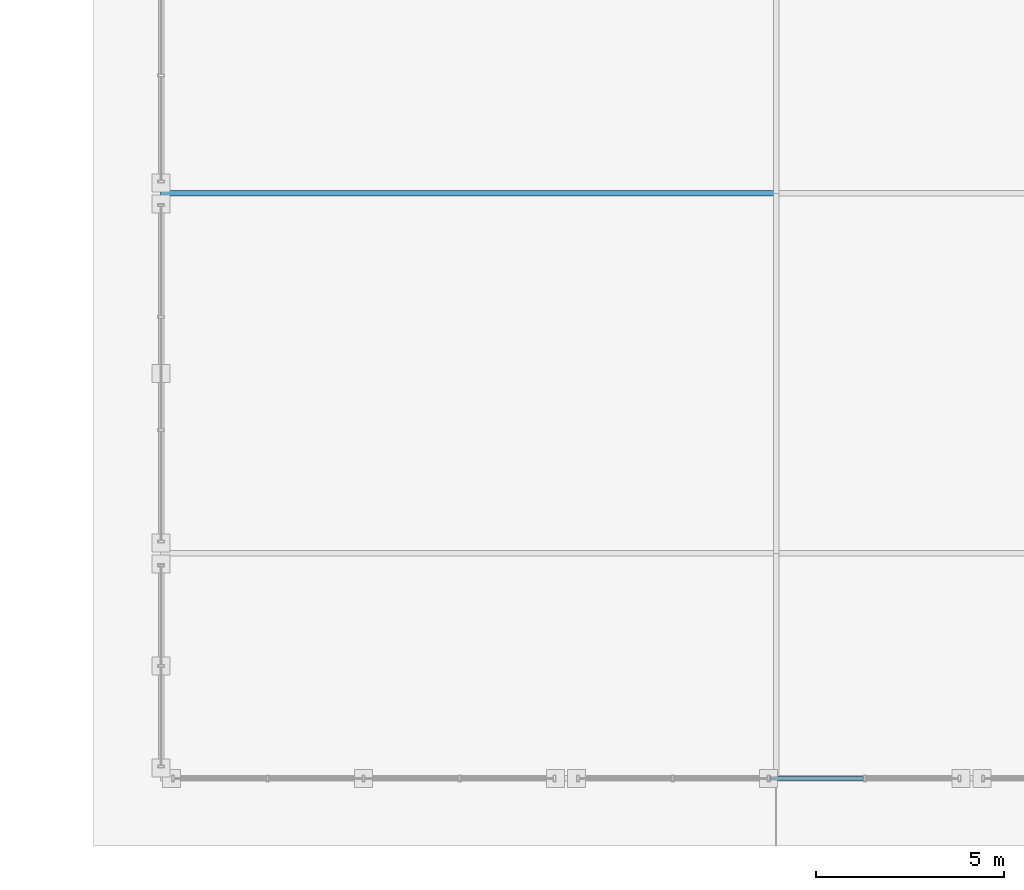
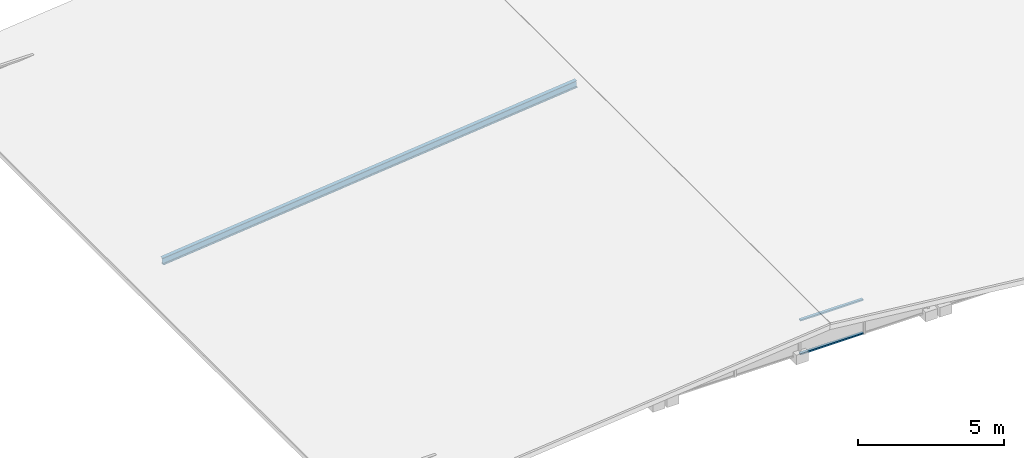
# One storey, part 45 of 117: 3 members, 1 element without a shape of its own.
"""IFC4 building model written with IfcOpenShell, lengths in metres."""

from ifc_helpers import new_model, si_unit, direction, frame, origin, origin_2d, place, context, subcontext, project, spatial, hollow_rectangle, i_section, extrude, material, material_profile, profile_set, type_object, element, aggregate, save


model = new_model("IFC4")

# Units and contexts
model_context = context("Model", 3, precision=1e-05, world=origin(), true_north=direction((0.0, 1.0)))
body_context = subcontext(model_context, "Body", "Model", "MODEL_VIEW")
ifc_project = project(units=[si_unit("LENGTHUNIT", "METRE"), si_unit("AREAUNIT", "SQUARE_METRE"), si_unit("VOLUMEUNIT", "CUBIC_METRE"), si_unit("PLANEANGLEUNIT", "RADIAN"), si_unit("MASSUNIT", "GRAM", prefix="KILO")], contexts=[model_context])

# Site, building, storey
site_placement = place(None, origin())
site = spatial("IfcSite", under=ifc_project, at=site_placement, CompositionType="ELEMENT")
building_placement = place(site_placement, origin())
building = spatial("IfcBuilding", under=site, at=building_placement, Name="Merenkruunu Market Hall", CompositionType="ELEMENT")
storey_placement = place(building_placement, frame((0.0, 0.0, 22.800048828125)))
storey = spatial("IfcBuildingStorey", under=building, at=storey_placement, Name="RF", CompositionType="ELEMENT", Elevation=22.800048828125)

# Curtain wall, members
ifc_material_1 = material(Name="Powder-coated aluminium", Category="aluminium")
curtain_wall_type = type_object("IfcCurtainWallType", Name="Clerestory Curtain Band CL03", PredefinedType="USERDEFINED", material=ifc_material_1)
curtain_wall_placement = place(storey_placement, origin())
curtain_wall = element("IfcCurtainWall", 1, at=curtain_wall_placement, inside=storey, type_object=curtain_wall_type, Name="CW-RF-CWM04-244", ObjectType="CLERESTORY_BAND", PredefinedType="USERDEFINED")
ifc_material_profile_1 = material_profile(ifc_material_1, hollow_rectangle(XDim=0.06005859375, YDim=0.110107421875, WallThickness=0.00390625, at=origin_2d()), Name="ALU 60x110x4")
ifc_profile_set_1 = profile_set([ifc_material_profile_1], Name="Powder-coated aluminium")
member_type_1 = type_object("IfcMemberType", Name="Curtain Wall Transom CWT03", PredefinedType="USERDEFINED", material=ifc_profile_set_1)
member_1_placement = place(storey_placement, frame((178.324951171875, 0.0, -1.68994140625), z_axis=(-1.0, 0.0, 0.0), x_axis=(0.0, 0.0, 1.0)))
member_1 = element("IfcMember", 2, at=member_1_placement, type_object=member_type_1, Name="CL03 transom 2.1", ObjectType="TRANSOM", PredefinedType="USERDEFINED", context=body_context, shape_type="SweptSolid", body=[
    extrude(hollow_rectangle(XDim=0.06005859375, YDim=0.110107421875, WallThickness=0.00390625, at=origin_2d()), origin(), (0.0, 0.0, 1.0), 2.489990234375),
])
member_2_placement = place(storey_placement, frame((178.324951171875, 0.0, -0.280029296875), z_axis=(-1.0, 0.0, 0.0), x_axis=(0.0, 0.0, 1.0)))
member_2 = element("IfcMember", 3, at=member_2_placement, type_object=member_type_1, Name="CL03 transom 2.2", ObjectType="TRANSOM", PredefinedType="USERDEFINED", context=body_context, shape_type="SweptSolid", body=[
    extrude(hollow_rectangle(XDim=0.06005859375, YDim=0.110107421875, WallThickness=0.00390625, at=origin_2d()), origin(), (0.0, 0.0, 1.0), 2.489990234375),
])
aggregate(curtain_wall, [member_1, member_2])

# Member
ifc_material_2 = material(Name="Steel S355ML", Category="steel")
ifc_material_profile_2 = material_profile(ifc_material_2, i_section(OverallWidth=0.14990234375, OverallDepth=0.300048828125, WebThickness=0.007080078125, FlangeThickness=0.0107421875, FilletRadius=0.014892578125, at=origin_2d()), Name="IPE 300")
ifc_profile_set_2 = profile_set([ifc_material_profile_2], Name="Steel S355ML")
member_type_2 = type_object("IfcMemberType", Name="Roof Purlin Rafter PR01", PredefinedType="PURLIN", material=ifc_profile_set_2)
member_3_placement = place(storey_placement, frame((159.60009765625, 15.60009765625, -1.580078125), z_axis=(0.994670606948, 0.0, 0.10310375199), x_axis=(0.0, 1.0, 0.0)))
element("IfcMember", 4, at=member_3_placement, inside=storey, type_object=member_type_2, Name="MEM-V3-RFW-16", PredefinedType="PURLIN", context=body_context, shape_type="SweptSolid", body=[
    extrude(i_section(OverallWidth=0.14990234375, OverallDepth=0.300048828125, WebThickness=0.007080078125, FlangeThickness=0.0107421875, FilletRadius=0.014892578125, at=origin_2d()), origin(), (0.0, 0.0, 1.0), 16.48779296875),
])

save(model, "model.ifc")
